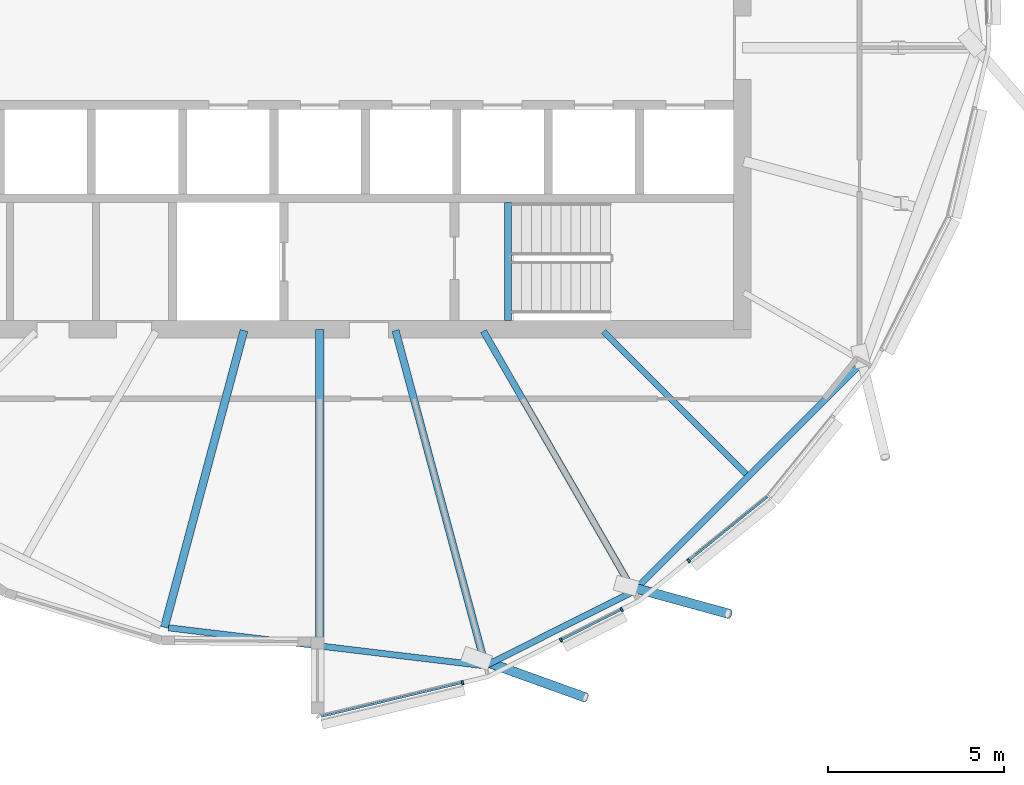
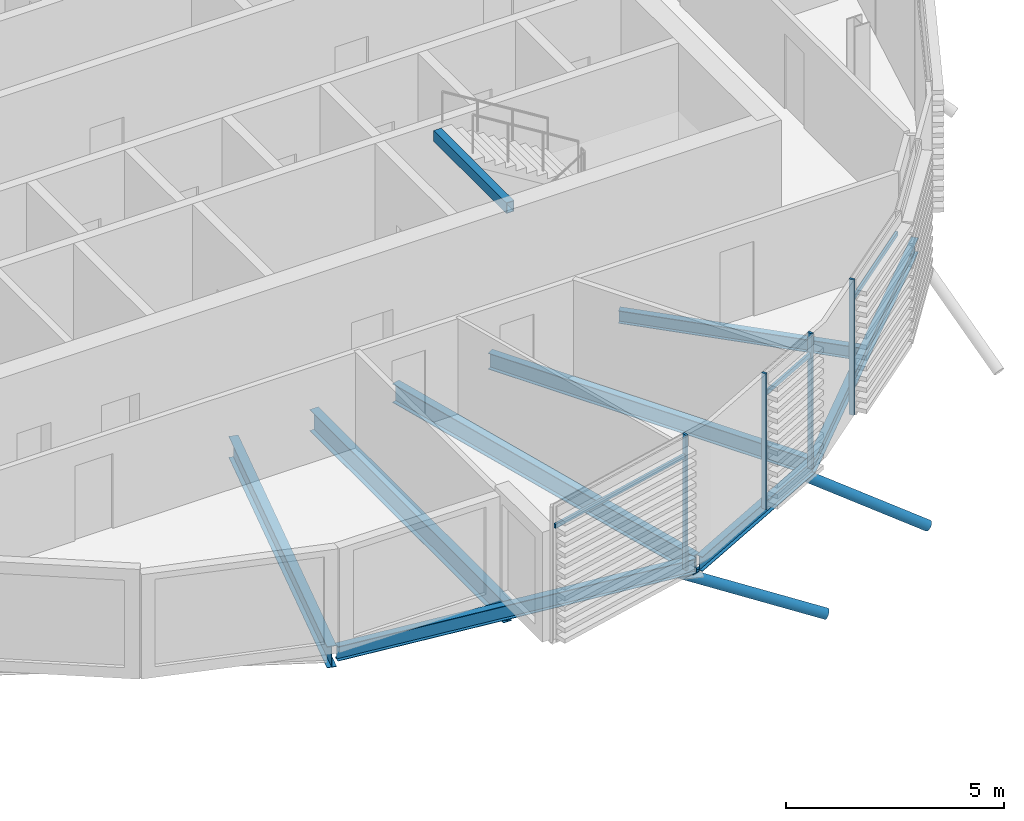
# One storey, part 10 of 34: 9 beams, 9 members, 1 element without a shape of its own.
"""IFC4 building model written with IfcOpenShell, lengths in metres."""

from ifc_helpers import new_model, si_unit, direction, frame, origin, origin_2d, place, context, subcontext, project, spatial, rectangle, hollow_rectangle, hollow_circle, i_section, extrude, clip, halfspace, material, material_profile, profile_set, type_object, element, aggregate, save


model = new_model("IFC4")

# Units and contexts
model_context = context("Model", 3, precision=1e-05, world=origin(), true_north=direction((0.0, 1.0)))
body_context = subcontext(model_context, "Body", "Model", "MODEL_VIEW")
ifc_project = project(units=[si_unit("LENGTHUNIT", "METRE"), si_unit("AREAUNIT", "SQUARE_METRE"), si_unit("VOLUMEUNIT", "CUBIC_METRE"), si_unit("PLANEANGLEUNIT", "RADIAN"), si_unit("MASSUNIT", "GRAM", prefix="KILO")], contexts=[model_context])

# Site, building, storey
site_placement = place(None, origin())
site = spatial("IfcSite", under=ifc_project, at=site_placement, CompositionType="ELEMENT")
building_placement = place(site_placement, origin())
building = spatial("IfcBuilding", under=site, at=building_placement, Name="Rimbun Link Towers", CompositionType="ELEMENT")
storey_placement = place(building_placement, frame((0.0, 0.0, 252.300048828125)))
storey = spatial("IfcBuildingStorey", under=building, at=storey_placement, Name="L62", CompositionType="ELEMENT", Elevation=252.300048828125)

# Curtain wall, members
ifc_material_1 = material(Name="Aluminium 6063-T6 and low-iron glass", Category="aluminium")
curtain_wall_type = type_object("IfcCurtainWallType", Name="CW1-Z4 unitised vision wall (zone 4)", PredefinedType="NOTDEFINED", material=ifc_material_1)
curtain_wall_placement = place(storey_placement, origin())
curtain_wall = element("IfcCurtainWall", 1, at=curtain_wall_placement, inside=storey, type_object=curtain_wall_type, Name="CW1 L62 T2", PredefinedType="NOTDEFINED")
ifc_material_2 = material(Name="Aluminium 6063-T6", Category="aluminium")
ifc_material_profile_1 = material_profile(ifc_material_2, rectangle(XDim=0.1201171875, YDim=0.06005859375, at=origin_2d()), Name="MULLION 60X120")
ifc_profile_set_1 = profile_set([ifc_material_profile_1], Name="Aluminium 6063-T6")
member_type_1 = type_object("IfcMemberType", Name="CW1 mullion 60X120", PredefinedType="MULLION", material=ifc_profile_set_1)
member_1_placement = place(storey_placement, frame((35.8037109375, -18.031494140625, 0.0), z_axis=(0.0, 0.0, 1.0), x_axis=(0.232604664363, -0.972571370192, 0.0)))
member_1 = element("IfcMember", 2, at=member_1_placement, type_object=member_type_1, Name="CW1 mullion", PredefinedType="MULLION", context=body_context, shape_type="SweptSolid", body=[
    extrude(rectangle(XDim=0.1201171875, YDim=0.06005859375, at=origin_2d()), origin(), (0.0, 0.0, 1.0), 3.800048828125),
])
member_2_placement = place(storey_placement, frame((40.32373046875, -15.955078125, 0.0), z_axis=(0.0, 0.0, 1.0), x_axis=(0.4487702901, -0.893647148893, 0.0)))
member_2 = element("IfcMember", 3, at=member_2_placement, type_object=member_type_1, Name="CW1 mullion", PredefinedType="MULLION", context=body_context, shape_type="SweptSolid", body=[
    extrude(rectangle(XDim=0.1201171875, YDim=0.06005859375, at=origin_2d()), origin(), (0.0, 0.0, 1.0), 3.800048828125),
])
member_3_placement = place(storey_placement, frame((38.601318359375, -16.820068359375, 0.0), z_axis=(0.0, 0.0, 1.0), x_axis=(0.4487702901, -0.893647148893, 0.0)))
member_3 = element("IfcMember", 4, at=member_3_placement, type_object=member_type_1, Name="CW1 mullion", PredefinedType="MULLION", context=body_context, shape_type="SweptSolid", body=[
    extrude(rectangle(XDim=0.1201171875, YDim=0.06005859375, at=origin_2d()), origin(), (0.0, 0.0, 1.0), 3.800048828125),
])
member_4_placement = place(storey_placement, frame((42.22509765625, -14.56884765625, 0.0), z_axis=(0.0, 0.0, 1.0), x_axis=(0.629159092045, -0.777276551105, 0.0)))
member_4 = element("IfcMember", 5, at=member_4_placement, type_object=member_type_1, Name="CW1 mullion", PredefinedType="MULLION", context=body_context, shape_type="SweptSolid", body=[
    extrude(rectangle(XDim=0.1201171875, YDim=0.06005859375, at=origin_2d()), origin(), (0.0, 0.0, 1.0), 3.800048828125),
])
ifc_material_3 = material(Name="Aluminium 6063-T6", Category="aluminium")
ifc_material_profile_2 = material_profile(ifc_material_3, rectangle(XDim=0.06005859375, YDim=0.1201171875, at=origin_2d()), Name="TRANSOM 60X120")
ifc_profile_set_2 = profile_set([ifc_material_profile_2], Name="Aluminium 6063-T6")
member_type_2 = type_object("IfcMemberType", Name="CW1 transom 60X120", PredefinedType="USERDEFINED", material=ifc_profile_set_2)
member_5_placement = place(storey_placement, frame((35.77392578125, -18.036376953125, 3.199951171875), z_axis=(-0.972572145929, -0.232601420809, 0.0), x_axis=(0.232601420809, -0.972572145929, 0.0)))
member_5 = element("IfcMember", 6, at=member_5_placement, type_object=member_type_2, Name="CW1 transom", ObjectType="TRANSOM", PredefinedType="USERDEFINED", context=body_context, shape_type="SweptSolid", body=[
    extrude(rectangle(XDim=0.06005859375, YDim=0.1201171875, at=origin_2d()), origin(), (0.0, 0.0, 1.0), 4.093505859375),
])
member_6_placement = place(storey_placement, frame((40.2958984375, -15.966796875, 3.199951171875), z_axis=(-0.89364123049, -0.448782075365, 0.0), x_axis=(0.448782075365, -0.89364123049, 0.0)))
member_6 = element("IfcMember", 7, at=member_6_placement, type_object=member_type_2, Name="CW1 transom", ObjectType="TRANSOM", PredefinedType="USERDEFINED", context=body_context, shape_type="SweptSolid", body=[
    extrude(rectangle(XDim=0.06005859375, YDim=0.1201171875, at=origin_2d()), origin(), (0.0, 0.0, 1.0), 1.866943359375),
])
member_7_placement = place(storey_placement, frame((44.4580078125, -12.7587890625, 3.199951171875), z_axis=(-0.777254865339, -0.629185882158, 0.0), x_axis=(0.629185882158, -0.777254865339, 0.0)))
member_7 = element("IfcMember", 8, at=member_7_placement, type_object=member_type_2, Name="CW1 transom", ObjectType="TRANSOM", PredefinedType="USERDEFINED", context=body_context, shape_type="SweptSolid", body=[
    extrude(rectangle(XDim=0.06005859375, YDim=0.1201171875, at=origin_2d()), origin(), (0.0, 0.0, 1.0), 2.84423828125),
])
aggregate(curtain_wall, [member_1, member_2, member_3, member_4, member_5, member_6, member_7])

# Members
ifc_material_4 = material(Name="Steel S355J2H", Category="steel")
ifc_material_profile_3 = material_profile(ifc_material_4, hollow_circle(Radius=0.136474609375, WallThickness=0.012451171875, at=origin_2d()), Name="CHS 273x12.5")
ifc_profile_set_3 = profile_set([ifc_material_profile_3], Name="Steel S355J2H")
member_type_3 = type_object("IfcMemberType", Name="Floor edge link CHS 273x12.5", PredefinedType="BRACE", material=ifc_profile_set_3)
member_8_placement = place(storey_placement, frame((36.416259765625, -17.4150390625, -0.79736328125), z_axis=(0.854331536793, -0.307686412862, -0.418863577529), x_axis=(0.338843337434, 0.94084280976, 0.0)))
element("IfcMember", 9, at=member_8_placement, inside=storey, type_object=member_type_3, Name="Floor edge link T2 L62 16", PredefinedType="BRACE", context=body_context, shape_type="Clipping", body=[
    clip(extrude(hollow_circle(Radius=0.136474609375, WallThickness=0.012451171875, at=origin_2d()), frame((0.0, 0.0, -0.61572265625)), (0.0, 0.0, 1.0), 3.99755859375), halfspace(frame((0.0, 0.0, -0.291748046875), z_axis=(0.0, 0.90804917456, -0.418863577529)), False)),
])
member_9_placement = place(storey_placement, frame((40.591796875, -15.314208984375, -0.70751953125), z_axis=(0.805214693387, -0.220727712003, -0.550371306217), x_axis=(0.264369890543, 0.9644213607, 0.0)))
element("IfcMember", 10, at=member_9_placement, inside=storey, type_object=member_type_3, Name="Floor edge link T2 L62 17", PredefinedType="BRACE", context=body_context, shape_type="Clipping", body=[
    clip(extrude(hollow_circle(Radius=0.136474609375, WallThickness=0.012451171875, at=origin_2d()), frame((0.0, 0.0, -0.432373046875)), (0.0, 0.0, 1.0), 3.888671875), halfspace(frame((0.0, 0.0, -0.20361328125), z_axis=(0.0, 0.834920011314, -0.550371306217)), False)),
])

# Beams
ifc_material_5 = material(Name="Steel S355J2", Category="steel")
ifc_material_profile_4 = material_profile(ifc_material_5, hollow_rectangle(XDim=0.199951171875, YDim=0.300048828125, WallThickness=0.011962890625, at=origin_2d()), Name="BOX 300x200x12")
ifc_profile_set_4 = profile_set([ifc_material_profile_4], Name="Steel S355J2")
beam_type_1 = type_object("IfcBeamType", Name="Stair trimmer beam BOX 300x200x12", PredefinedType="BEAM", material=ifc_profile_set_4)
beam_1_placement = place(storey_placement, frame((37.10009765625, -7.75, 3.469970703125), z_axis=(0.0, 1.0, 0.0), x_axis=(-1.0, 0.0, 0.0)))
element("IfcBeam", 11, at=beam_1_placement, inside=storey, type_object=beam_type_1, Name="L62 ST4 stair beam 1", PredefinedType="BEAM", context=body_context, shape_type="SweptSolid", body=[
    extrude(hollow_rectangle(XDim=0.199951171875, YDim=0.300048828125, WallThickness=0.011962890625, at=origin_2d()), origin(), (0.0, 0.0, 1.0), 3.35009765625),
])
ifc_material_6 = material(Name="Steel S355J2", Category="steel")
ifc_material_profile_5 = material_profile(ifc_material_6, i_section(OverallWidth=0.17138671875, OverallDepth=0.35498046875, WebThickness=0.00732421875, FlangeThickness=0.011474609375, at=origin_2d()), Name="UB 356x171x51")
ifc_profile_set_5 = profile_set([ifc_material_profile_5], Name="Steel S355J2")
beam_type_2 = type_object("IfcBeamType", Name="UB 356x171x51", PredefinedType="BEAM", material=ifc_profile_set_5)
beam_2_placement = place(storey_placement, frame((39.811279296875, -8.061279296875, -0.317626953125), z_axis=(0.707106781187, -0.707106781187, 0.0), x_axis=(0.707106781187, 0.707106781187, 0.0)))
element("IfcBeam", 12, at=beam_2_placement, inside=storey, type_object=beam_type_2, Name="Radial beam T2 L62 18", PredefinedType="BEAM", context=body_context, shape_type="SweptSolid", body=[
    extrude(i_section(OverallWidth=0.17138671875, OverallDepth=0.35498046875, WebThickness=0.00732421875, FlangeThickness=0.011474609375, at=origin_2d()), origin(), (0.0, 0.0, 1.0), 5.725830078125),
])
ifc_material_7 = material(Name="Steel S355J2", Category="steel")
ifc_material_profile_6 = material_profile(ifc_material_7, i_section(OverallWidth=0.177978515625, OverallDepth=0.406494140625, WebThickness=0.0078125, FlangeThickness=0.0126953125, at=origin_2d()), Name="UB 406x178x60")
ifc_profile_set_6 = profile_set([ifc_material_profile_6], Name="Steel S355J2")
beam_type_3 = type_object("IfcBeamType", Name="UB 406x178x60", PredefinedType="BEAM", material=ifc_profile_set_6)
beam_3_placement = place(storey_placement, frame((27.455078125, -16.47216796875, -0.34326171875), z_axis=(0.992874127242, -0.119167812156, 0.0), x_axis=(0.119167812156, 0.992874127242, 0.0)))
element("IfcBeam", 13, at=beam_3_placement, inside=storey, type_object=beam_type_3, Name="Edge beam T2 L62 14-16", PredefinedType="BEAM", context=body_context, shape_type="SweptSolid", body=[
    extrude(i_section(OverallWidth=0.177978515625, OverallDepth=0.406494140625, WebThickness=0.0078125, FlangeThickness=0.0126953125, at=origin_2d()), origin(), (0.0, 0.0, 1.0), 8.94873046875),
])
beam_4_placement = place(storey_placement, frame((36.453857421875, -17.551513671875, -0.34326171875), z_axis=(0.893408702171, 0.449244800622, 0.0), x_axis=(-0.449244800622, 0.893408702171, 0.0)))
element("IfcBeam", 14, at=beam_4_placement, inside=storey, type_object=beam_type_3, Name="Edge beam T2 L62 16", PredefinedType="BEAM", context=body_context, shape_type="SweptSolid", body=[
    extrude(i_section(OverallWidth=0.177978515625, OverallDepth=0.406494140625, WebThickness=0.0078125, FlangeThickness=0.0126953125, at=origin_2d()), origin(), (0.0, 0.0, 1.0), 4.708984375),
])
beam_5_placement = place(storey_placement, frame((40.662353515625, -15.434814453125, -0.34326171875), z_axis=(0.707120138576, 0.707093423545, 0.0), x_axis=(-0.707093423545, 0.707120138576, 0.0)))
element("IfcBeam", 15, at=beam_5_placement, inside=storey, type_object=beam_type_3, Name="Edge beam T2 L62 17-19", PredefinedType="BEAM", context=body_context, shape_type="SweptSolid", body=[
    extrude(i_section(OverallWidth=0.177978515625, OverallDepth=0.406494140625, WebThickness=0.0078125, FlangeThickness=0.0126953125, at=origin_2d()), origin(), (0.0, 0.0, 1.0), 9.138671875),
])
ifc_material_8 = material(Name="Steel S355J2", Category="steel")
ifc_material_profile_7 = material_profile(ifc_material_8, i_section(OverallWidth=0.18994140625, OverallDepth=0.453369140625, WebThickness=0.008544921875, FlangeThickness=0.0126953125, at=origin_2d()), Name="UB 457x191x67")
ifc_profile_set_7 = profile_set([ifc_material_profile_7], Name="Steel S355J2")
beam_type_4 = type_object("IfcBeamType", Name="UB 457x191x67", PredefinedType="BEAM", material=ifc_profile_set_7)
beam_6_placement = place(storey_placement, frame((36.396728515625, -8.04833984375, -0.36669921875), z_axis=(0.500006240468, -0.866021800818, 0.0), x_axis=(0.866021800818, 0.500006240468, 0.0)))
element("IfcBeam", 16, at=beam_6_placement, inside=storey, type_object=beam_type_4, Name="Radial beam T2 L62 17", PredefinedType="BEAM", context=body_context, shape_type="SweptSolid", body=[
    extrude(i_section(OverallWidth=0.18994140625, OverallDepth=0.453369140625, WebThickness=0.008544921875, FlangeThickness=0.0126953125, at=origin_2d()), origin(), (0.0, 0.0, 1.0), 8.43994140625),
])
ifc_material_9 = material(Name="Steel S355J2", Category="steel")
ifc_material_profile_8 = material_profile(ifc_material_9, i_section(OverallWidth=0.209228515625, OverallDepth=0.533203125, WebThickness=0.010009765625, FlangeThickness=0.015625, at=origin_2d()), Name="UB 533x210x92")
ifc_profile_set_8 = profile_set([ifc_material_profile_8], Name="Steel S355J2")
beam_type_5 = type_object("IfcBeamType", Name="UB 533x210x92", PredefinedType="BEAM", material=ifc_profile_set_8)
beam_7_placement = place(storey_placement, frame((33.901123046875, -8.028076171875, -0.406494140625), z_axis=(0.258808960864, -0.965928528296, 0.0), x_axis=(0.965928528296, 0.258808960864, 0.0)))
element("IfcBeam", 17, at=beam_7_placement, inside=storey, type_object=beam_type_5, Name="Radial beam T2 L62 16", PredefinedType="BEAM", context=body_context, shape_type="SweptSolid", body=[
    extrude(i_section(OverallWidth=0.209228515625, OverallDepth=0.533203125, WebThickness=0.010009765625, FlangeThickness=0.015625, at=origin_2d()), origin(), (0.0, 0.0, 1.0), 9.76806640625),
])
ifc_material_10 = material(Name="Steel S355J2", Category="steel")
ifc_material_profile_9 = material_profile(ifc_material_10, i_section(OverallWidth=0.2275390625, OverallDepth=0.6025390625, WebThickness=0.010498046875, FlangeThickness=0.014892578125, at=origin_2d()), Name="UB 610x229x101")
ifc_profile_set_9 = profile_set([ifc_material_profile_9], Name="Steel S355J2")
beam_type_6 = type_object("IfcBeamType", Name="UB 610x229x101", PredefinedType="BEAM", material=ifc_profile_set_9)
beam_8_placement = place(storey_placement, frame((29.598388671875, -8.030517578125, -0.44140625), z_axis=(-0.258822332634, -0.965924945392, 0.0), x_axis=(0.965924945392, -0.258822332634, 0.0)))
element("IfcBeam", 18, at=beam_8_placement, inside=storey, type_object=beam_type_6, Name="Radial beam T2 L62 14", PredefinedType="BEAM", context=body_context, shape_type="SweptSolid", body=[
    extrude(i_section(OverallWidth=0.2275390625, OverallDepth=0.6025390625, WebThickness=0.010498046875, FlangeThickness=0.014892578125, at=origin_2d()), origin(), (0.0, 0.0, 1.0), 8.725341796875),
])
beam_9_placement = place(storey_placement, frame((31.75, -8.0009765625, -0.44140625), z_axis=(0.0, -1.0, 0.0), x_axis=(1.0, 0.0, 0.0)))
element("IfcBeam", 19, at=beam_9_placement, inside=storey, type_object=beam_type_6, Name="Radial beam T2 L62 15", PredefinedType="BEAM", context=body_context, shape_type="SweptSolid", body=[
    extrude(i_section(OverallWidth=0.2275390625, OverallDepth=0.6025390625, WebThickness=0.010498046875, FlangeThickness=0.014892578125, at=origin_2d()), origin(), (0.0, 0.0, 1.0), 8.89599609375),
])

save(model, "model.ifc")
